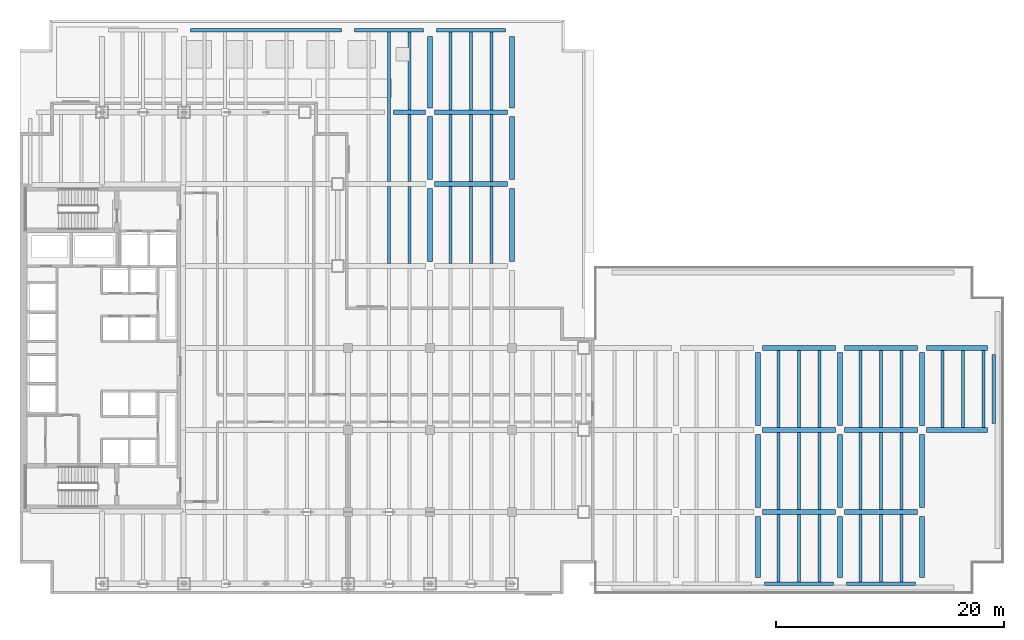
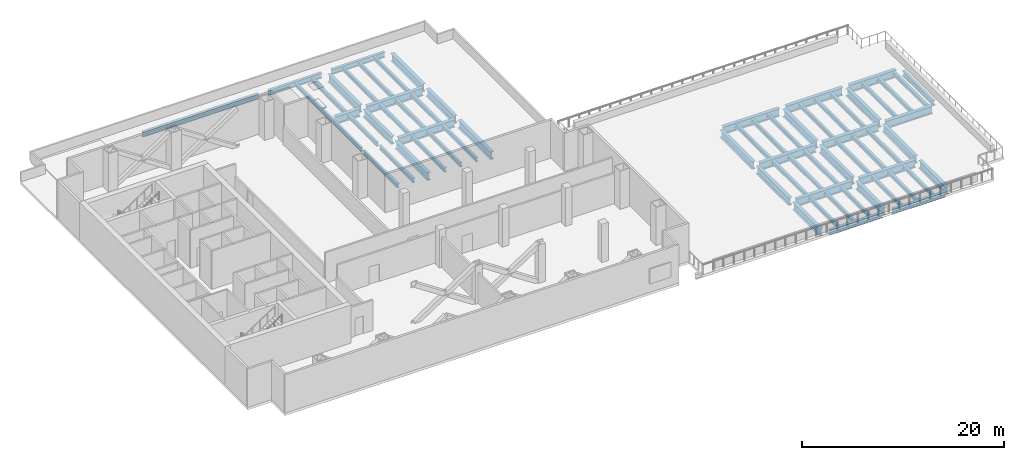
# One storey, part 4 of 12: 67 beams.
"""IFC4 building model written with IfcOpenShell, lengths in metres."""

import ifcopenshell
import ifcopenshell.guid

model = None  # the IFC model being written
_history = None  # IfcOwnerHistory: only IFC2X3 demands one
_inside = {}  # id of a spatial element -> (the spatial element, [elements in it])
_under = {}  # id of a project, library or spatial element -> (it, [spatial elements below it])
_declared = {}  # id of a project -> (the project, [libraries it declares])
_typed = {}  # id of a type object -> (the type object, [elements of that type])
_made_of = {}  # id of a material, layer set ... -> (it, [elements and type objects made of it])


def new_model(schema):
    """Start an empty IFC model of exactly this schema.

    Asked for "IFC4X3", IfcOpenShell would pick the latest addendum, in which some entities
    have other attributes; the version numbers below select the first issue.
    IFC2X3 requires an IfcOwnerHistory on every rooted entity: one is made here for all.
    """
    global model, _history
    if schema == "IFC4X3":
        model = ifcopenshell.file(schema_version=(4, 3, 0, 0))
    else:
        model = ifcopenshell.file(schema=schema)
    _inside.clear()
    _under.clear()
    _declared.clear()
    _typed.clear()
    _made_of.clear()
    _history = None
    if model.schema == "IFC2X3":
        org = make("IfcOrganization", Name="unknown")
        user = make(
            "IfcPersonAndOrganization",
            ThePerson=make("IfcPerson", FamilyName="unknown"),
            TheOrganization=org,
        )
        app = make(
            "IfcApplication",
            ApplicationDeveloper=org,
            Version="unknown",
            ApplicationFullName="unknown",
            ApplicationIdentifier="unknown",
        )
        _history = make(
            "IfcOwnerHistory",
            OwningUser=user,
            OwningApplication=app,
            ChangeAction="ADDED",
            CreationDate=0,
        )
    return model


def make(cls, **values):
    """One entity of the class cls with the attributes given. An attribute that is None is left unset."""
    return model.create_entity(
        cls, **{name: value for name, value in values.items() if value is not None}
    )


def rooted(cls, **values):
    """An entity with a GlobalId (a new one), such as an element, a storey or a relation."""
    return make(cls, GlobalId=ifcopenshell.guid.new(), OwnerHistory=_history, **values)


def si_unit(unit_type, name, prefix=None):
    """IfcSIUnit, for example si_unit("LENGTHUNIT", "METRE", prefix="MILLI")."""
    return make("IfcSIUnit", UnitType=unit_type, Prefix=prefix, Name=name)


def assignment(units):
    """IfcUnitAssignment: the units of a project."""
    return None if units is None else make("IfcUnitAssignment", Units=units)


def point(xyz):
    """IfcCartesianPoint."""
    return None if xyz is None else make("IfcCartesianPoint", Coordinates=xyz)


def direction(xyz):
    """IfcDirection."""
    return None if xyz is None else make("IfcDirection", DirectionRatios=xyz)


def frame(location, z_axis=None, x_axis=None):
    """IfcAxis2Placement3D, a coordinate frame: its origin and axes. An axis left out is left unset."""
    return make(
        "IfcAxis2Placement3D",
        Location=point(location),
        Axis=direction(z_axis),
        RefDirection=direction(x_axis),
    )


def frame_2d(location, x_axis=None):
    """IfcAxis2Placement2D, a coordinate frame in the plane: its origin and x axis."""
    return make(
        "IfcAxis2Placement2D", Location=point(location), RefDirection=direction(x_axis)
    )


def origin():
    """The frame at (0, 0, 0) with its axes left unset."""
    return frame((0.0, 0.0, 0.0))


def origin_2d():
    """The frame at (0, 0) in the plane with its x axis left unset."""
    return frame_2d((0.0, 0.0))


def place(relative_to, where):
    """IfcLocalPlacement: puts the frame where relative to a parent placement (None: the world)."""
    return make(
        "IfcLocalPlacement", PlacementRelTo=relative_to, RelativePlacement=where
    )


def context(
    kind, dimensions, precision=None, world=None, true_north=None, identifier=None
):
    """IfcGeometricRepresentationContext, for example the 3D "Model" context."""
    return make(
        "IfcGeometricRepresentationContext",
        ContextIdentifier=identifier,
        ContextType=kind,
        CoordinateSpaceDimension=dimensions,
        Precision=precision,
        WorldCoordinateSystem=world,
        TrueNorth=true_north,
    )


def subcontext(parent, identifier, kind, view, scale=None):
    """IfcGeometricRepresentationSubContext, for example "Body" below "Model"."""
    return make(
        "IfcGeometricRepresentationSubContext",
        ContextIdentifier=identifier,
        ContextType=kind,
        ParentContext=parent,
        TargetScale=scale,
        TargetView=view,
    )


def project(units=None, contexts=None):
    """IfcProject with its units and contexts."""
    return rooted(
        "IfcProject",
        Name="project",
        RepresentationContexts=contexts,
        UnitsInContext=assignment(units),
    )


def spatial(cls, under=None, at=None, **own):
    """A site, building, storey or space (cls), placed at a placement, below another one or the project."""
    s = rooted(cls, ObjectPlacement=at, **own)
    if under is not None:
        _under.setdefault(under.id(), (under, []))[1].append(s)
    return s


def profile(cls, at=None, kind="AREA", **sizes):
    """A parametric profile (cls). Its sizes go by their IFC names, for example OverallWidth=200.0."""
    return make(cls, ProfileType=kind, Position=at, **sizes)


def i_section(**sizes):
    """IfcIShapeProfileDef."""
    return profile("IfcIShapeProfileDef", **sizes)


def extrude(swept, where, along, depth):
    """IfcExtrudedAreaSolid: the profile swept, set in the frame where, extruded along a direction by depth."""
    return make(
        "IfcExtrudedAreaSolid",
        SweptArea=swept,
        Position=where,
        ExtrudedDirection=direction(along),
        Depth=depth,
    )


def shape(context_of_items, identifier, shape_type, items):
    """IfcShapeRepresentation: the items that make up one representation, for example the "Body"."""
    return make(
        "IfcShapeRepresentation",
        ContextOfItems=context_of_items,
        RepresentationIdentifier=identifier,
        RepresentationType=shape_type,
        Items=items,
    )


def material(Name=None, Category=None):
    """IfcMaterial."""
    return make("IfcMaterial", Name=Name, Category=Category)


def material_profile(
    of_material, cross_section, Name=None, Category=None, Priority=None
):
    """IfcMaterialProfile: a cross section and its material."""
    return make(
        "IfcMaterialProfile",
        Name=Name,
        Material=of_material,
        Profile=cross_section,
        Priority=Priority,
        Category=Category,
    )


def profile_set(profiles, Name=None, composite=None):
    """IfcMaterialProfileSet."""
    return make(
        "IfcMaterialProfileSet",
        Name=Name,
        MaterialProfiles=profiles,
        CompositeProfile=composite,
    )


def made_of(thing, what):
    """Note that an element or type object is made of a material, layer set ...; save() writes the relation."""
    if what is not None:
        _made_of.setdefault(what.id(), (what, []))[1].append(thing)
    return thing


def type_object(cls, material=None, **own):
    """A type object (cls), such as IfcWallType, which elements share."""
    return made_of(rooted(cls, **own), material)


def element(
    cls,
    number,
    at=None,
    inside=None,
    cuts=None,
    type_object=None,
    material=None,
    context=None,
    identifier="Body",
    shape_type=None,
    held_by="IfcProductDefinitionShape",
    body=None,
    shapes=None,
    **own,
):
    """One element of the class cls, such as IfcWall. Its Tag is "e" and its number.

    at: its placement. inside: the storey or other place that contains it. cuts: it is an
    opening in that element (IfcRelVoidsElement). A single representation is given by context,
    identifier, shape_type and body (its items); several are given by shapes. held_by: the class
    of the entity that holds the representations. save() writes the other relations.
    """
    e = rooted(cls, Tag="e%d" % number, ObjectPlacement=at, **own)
    if body is not None:
        shapes = [shape(context, identifier, shape_type, body)]
    if shapes is not None:
        e.Representation = make(held_by, Representations=shapes)
    if inside is not None:
        _inside.setdefault(inside.id(), (inside, []))[1].append(e)
    if cuts is not None:
        rooted(
            "IfcRelVoidsElement", RelatingBuildingElement=cuts, RelatedOpeningElement=e
        )
    if type_object is not None:
        _typed.setdefault(type_object.id(), (type_object, []))[1].append(e)
    return made_of(e, material)


def aggregate(whole, parts):
    """IfcRelAggregates: a whole, such as a stair, and the parts it consists of."""
    return rooted("IfcRelAggregates", RelatingObject=whole, RelatedObjects=parts)


def save(model, path):
    """Write the relations noted so far, then the file.

    IfcRelAggregates (storeys below a building ...), IfcRelContainedInSpatialStructure (elements
    in a storey), IfcRelDefinesByType, IfcRelAssociatesMaterial and IfcRelDeclares: one each for
    every whole, place, type object, material and project.
    """
    for whole, parts in _under.values():
        aggregate(whole, parts)
    for where, things in _inside.values():
        rooted(
            "IfcRelContainedInSpatialStructure",
            RelatedElements=things,
            RelatingStructure=where,
        )
    for kind, things in _typed.values():
        rooted("IfcRelDefinesByType", RelatedObjects=things, RelatingType=kind)
    for what, things in _made_of.values():
        rooted("IfcRelAssociatesMaterial", RelatedObjects=things, RelatingMaterial=what)
    for by, libraries in _declared.values():
        rooted("IfcRelDeclares", RelatingContext=by, RelatedDefinitions=libraries)
    model.write(path)


model = new_model("IFC4")

# Units and contexts
model_context = context("Model", 3, precision=1e-05, world=origin(), true_north=direction((0.0, 1.0)))
body_context = subcontext(model_context, "Body", "Model", "MODEL_VIEW")
ifc_project = project(units=[si_unit("LENGTHUNIT", "METRE"), si_unit("AREAUNIT", "SQUARE_METRE"), si_unit("VOLUMEUNIT", "CUBIC_METRE"), si_unit("PLANEANGLEUNIT", "RADIAN"), si_unit("MASSUNIT", "GRAM", prefix="KILO")], contexts=[model_context])

# Site, building, storey
site_placement = place(None, origin())
site = spatial("IfcSite", under=ifc_project, at=site_placement, CompositionType="ELEMENT")
building_placement = place(site_placement, origin())
building = spatial("IfcBuilding", under=site, at=building_placement, Name="Cobrela Telecom Tower", CompositionType="ELEMENT")
storey_placement = place(building_placement, frame((0.0, 0.0, 26.25)))
storey = spatial("IfcBuildingStorey", under=building, at=storey_placement, Name="L06", CompositionType="ELEMENT", Elevation=26.25)

# Beams
ifc_material = material(Name="Steel ASTM A992 Grade 50", Category="steel")
ifc_material_profile_1 = material_profile(ifc_material, i_section(OverallWidth=0.4189453125, OverallDepth=0.927001953125, WebThickness=0.019287109375, FlangeThickness=0.031982421875, FilletRadius=0.02392578125, at=origin_2d()), Name="W36X231")
ifc_profile_set_1 = profile_set([ifc_material_profile_1], Name="Steel ASTM A992 Grade 50")
beam_type_1 = type_object("IfcBeamType", Name="BM-GIRD-02", PredefinedType="USERDEFINED", material=ifc_profile_set_1)
for number, where, z_axis, x_axis, name in (
    (1, (65.179931640625, 7.199951171875, -0.763427734375), (1.0, 0.0, 0.0), (0.0, 1.0, 0.0), "L06 Primary Girder X17"),
    (2, (72.3798828125, 7.199951171875, -0.763427734375), (1.0, 0.0, 0.0), (0.0, 1.0, 0.0), "L06 Primary Girder X18"),
    (3, (65.179931640625, 14.39990234375, -0.763427734375), (1.0, 0.0, 0.0), (0.0, 1.0, 0.0), "L06 Primary Girder X25"),
    (4, (72.3798828125, 14.39990234375, -0.763427734375), (1.0, 0.0, 0.0), (0.0, 1.0, 0.0), "L06 Primary Girder X26"),
):
    element("IfcBeam", number, at=place(storey_placement, frame(where, z_axis=z_axis, x_axis=x_axis)), inside=storey, type_object=beam_type_1, Name=name, ObjectType="GIRDER", PredefinedType="USERDEFINED", context=body_context, shape_type="SweptSolid", body=[
        extrude(i_section(OverallWidth=0.4189453125, OverallDepth=0.927001953125, WebThickness=0.019287109375, FlangeThickness=0.031982421875, FilletRadius=0.02392578125, at=origin_2d()), origin(), (0.0, 0.0, 1.0), 6.440185546875),
    ])
beam_1_placement = place(storey_placement, frame((79.580078125, 14.39990234375, -0.763427734375), z_axis=(1.0, 0.0, 0.0), x_axis=(0.0, 1.0, 0.0)))
element("IfcBeam", 5, at=beam_1_placement, inside=storey, type_object=beam_type_1, Name="L06 Primary Girder X27", ObjectType="GIRDER", PredefinedType="USERDEFINED", context=body_context, shape_type="SweptSolid", body=[
    extrude(i_section(OverallWidth=0.4189453125, OverallDepth=0.927001953125, WebThickness=0.019287109375, FlangeThickness=0.031982421875, FilletRadius=0.02392578125, at=origin_2d()), origin(), (0.0, 0.0, 1.0), 5.364990234375),
])
for number, where, z_axis, x_axis, name in (
    (6, (65.179931640625, 21.60009765625, -0.763427734375), (1.0, 0.0, 0.0), (0.0, 1.0, 0.0), "L06 Primary Girder X34"),
    (7, (72.3798828125, 21.60009765625, -0.763427734375), (1.0, 0.0, 0.0), (0.0, 1.0, 0.0), "L06 Primary Girder X35"),
):
    element("IfcBeam", number, at=place(storey_placement, frame(where, z_axis=z_axis, x_axis=x_axis)), inside=storey, type_object=beam_type_1, Name=name, ObjectType="GIRDER", PredefinedType="USERDEFINED", context=body_context, shape_type="SweptSolid", body=[
        extrude(i_section(OverallWidth=0.4189453125, OverallDepth=0.927001953125, WebThickness=0.019287109375, FlangeThickness=0.031982421875, FilletRadius=0.02392578125, at=origin_2d()), origin(), (0.0, 0.0, 1.0), 6.440185546875),
    ])
beam_2_placement = place(storey_placement, frame((79.580078125, 21.60009765625, -0.763427734375), z_axis=(1.0, 0.0, 0.0), x_axis=(0.0, 1.0, 0.0)))
element("IfcBeam", 8, at=beam_2_placement, inside=storey, type_object=beam_type_1, Name="L06 Primary Girder X36", ObjectType="GIRDER", PredefinedType="USERDEFINED", context=body_context, shape_type="SweptSolid", body=[
    extrude(i_section(OverallWidth=0.4189453125, OverallDepth=0.927001953125, WebThickness=0.019287109375, FlangeThickness=0.031982421875, FilletRadius=0.02392578125, at=origin_2d()), origin(), (0.0, 0.0, 1.0), 5.364990234375),
])
beam_3_placement = place(storey_placement, frame((36.3798828125, 36.0, -0.763427734375), z_axis=(1.0, 0.0, 0.0), x_axis=(0.0, 1.0, 0.0)))
element("IfcBeam", 9, at=beam_3_placement, inside=storey, type_object=beam_type_1, Name="L06 Primary Girder X44", ObjectType="GIRDER", PredefinedType="USERDEFINED", context=body_context, shape_type="SweptSolid", body=[
    extrude(i_section(OverallWidth=0.4189453125, OverallDepth=0.927001953125, WebThickness=0.019287109375, FlangeThickness=0.031982421875, FilletRadius=0.02392578125, at=origin_2d()), origin(), (0.0, 0.0, 1.0), 6.440185546875),
])
beam_4_placement = place(storey_placement, frame((32.780029296875, 42.300048828125, -0.763427734375), z_axis=(1.0, 0.0, 0.0), x_axis=(0.0, 1.0, 0.0)))
element("IfcBeam", 10, at=beam_4_placement, inside=storey, type_object=beam_type_1, Name="L06 Primary Girder X49", ObjectType="GIRDER", PredefinedType="USERDEFINED", context=body_context, shape_type="SweptSolid", body=[
    extrude(i_section(OverallWidth=0.4189453125, OverallDepth=0.927001953125, WebThickness=0.019287109375, FlangeThickness=0.031982421875, FilletRadius=0.02392578125, at=origin_2d()), origin(), (0.0, 0.0, 1.0), 2.840087890625),
])
for number, where, z_axis, x_axis, name in (
    (11, (36.3798828125, 42.300048828125, -0.763427734375), (1.0, 0.0, 0.0), (0.0, 1.0, 0.0), "L06 Primary Girder X50"),
    (12, (36.0, 29.179931640625, -0.763427734375), (0.0, 1.0, 0.0), (-1.0, 0.0, 0.0), "L06 Primary Girder Y74"),
):
    element("IfcBeam", number, at=place(storey_placement, frame(where, z_axis=z_axis, x_axis=x_axis)), inside=storey, type_object=beam_type_1, Name=name, ObjectType="GIRDER", PredefinedType="USERDEFINED", context=body_context, shape_type="SweptSolid", body=[
        extrude(i_section(OverallWidth=0.4189453125, OverallDepth=0.927001953125, WebThickness=0.019287109375, FlangeThickness=0.031982421875, FilletRadius=0.02392578125, at=origin_2d()), origin(), (0.0, 0.0, 1.0), 6.440185546875),
    ])
beam_5_placement = place(storey_placement, frame((36.0, 36.3798828125, -0.763427734375), z_axis=(0.0, 1.0, 0.0), x_axis=(-1.0, 0.0, 0.0)))
element("IfcBeam", 13, at=beam_5_placement, inside=storey, type_object=beam_type_1, Name="L06 Primary Girder Y75", ObjectType="GIRDER", PredefinedType="USERDEFINED", context=body_context, shape_type="SweptSolid", body=[
    extrude(i_section(OverallWidth=0.4189453125, OverallDepth=0.927001953125, WebThickness=0.019287109375, FlangeThickness=0.031982421875, FilletRadius=0.02392578125, at=origin_2d()), origin(), (0.0, 0.0, 1.0), 5.5400390625),
])
beam_6_placement = place(storey_placement, frame((36.0, 42.679931640625, -0.763427734375), z_axis=(0.0, 1.0, 0.0), x_axis=(-1.0, 0.0, 0.0)))
element("IfcBeam", 14, at=beam_6_placement, inside=storey, type_object=beam_type_1, Name="L06 Primary Girder Y76", ObjectType="GIRDER", PredefinedType="USERDEFINED", context=body_context, shape_type="SweptSolid", body=[
    extrude(i_section(OverallWidth=0.4189453125, OverallDepth=0.927001953125, WebThickness=0.019287109375, FlangeThickness=0.031982421875, FilletRadius=0.02392578125, at=origin_2d()), origin(), (0.0, 0.0, 1.0), 6.26513671875),
])
beam_7_placement = place(storey_placement, frame((43.199951171875, 29.179931640625, -0.763427734375), z_axis=(0.0, 1.0, 0.0), x_axis=(-1.0, 0.0, 0.0)))
element("IfcBeam", 15, at=beam_7_placement, inside=storey, type_object=beam_type_1, Name="L06 Primary Girder Y81", ObjectType="GIRDER", PredefinedType="USERDEFINED", context=body_context, shape_type="SweptSolid", body=[
    extrude(i_section(OverallWidth=0.4189453125, OverallDepth=0.927001953125, WebThickness=0.019287109375, FlangeThickness=0.031982421875, FilletRadius=0.02392578125, at=origin_2d()), origin(), (0.0, 0.0, 1.0), 6.440185546875),
])
beam_8_placement = place(storey_placement, frame((43.199951171875, 36.3798828125, -0.763427734375), z_axis=(0.0, 1.0, 0.0), x_axis=(-1.0, 0.0, 0.0)))
element("IfcBeam", 16, at=beam_8_placement, inside=storey, type_object=beam_type_1, Name="L06 Primary Girder Y82", ObjectType="GIRDER", PredefinedType="USERDEFINED", context=body_context, shape_type="SweptSolid", body=[
    extrude(i_section(OverallWidth=0.4189453125, OverallDepth=0.927001953125, WebThickness=0.019287109375, FlangeThickness=0.031982421875, FilletRadius=0.02392578125, at=origin_2d()), origin(), (0.0, 0.0, 1.0), 5.5400390625),
])
beam_9_placement = place(storey_placement, frame((43.199951171875, 42.679931640625, -0.763427734375), z_axis=(0.0, 1.0, 0.0), x_axis=(-1.0, 0.0, 0.0)))
element("IfcBeam", 17, at=beam_9_placement, inside=storey, type_object=beam_type_1, Name="L06 Primary Girder Y83", ObjectType="GIRDER", PredefinedType="USERDEFINED", context=body_context, shape_type="SweptSolid", body=[
    extrude(i_section(OverallWidth=0.4189453125, OverallDepth=0.927001953125, WebThickness=0.019287109375, FlangeThickness=0.031982421875, FilletRadius=0.02392578125, at=origin_2d()), origin(), (0.0, 0.0, 1.0), 6.26513671875),
])
beam_10_placement = place(storey_placement, frame((64.800048828125, 1.455078125, -0.763427734375), z_axis=(0.0, 1.0, 0.0), x_axis=(-1.0, 0.0, 0.0)))
element("IfcBeam", 18, at=beam_10_placement, inside=storey, type_object=beam_type_1, Name="L06 Primary Girder Y89", ObjectType="GIRDER", PredefinedType="USERDEFINED", context=body_context, shape_type="SweptSolid", body=[
    extrude(i_section(OverallWidth=0.4189453125, OverallDepth=0.927001953125, WebThickness=0.019287109375, FlangeThickness=0.031982421875, FilletRadius=0.02392578125, at=origin_2d()), origin(), (0.0, 0.0, 1.0), 5.364990234375),
])
for number, where, z_axis, x_axis, name in (
    (19, (64.800048828125, 7.580078125, -0.763427734375), (0.0, 1.0, 0.0), (-1.0, 0.0, 0.0), "L06 Primary Girder Y90"),
    (20, (64.800048828125, 14.780029296875, -0.763427734375), (0.0, 1.0, 0.0), (-1.0, 0.0, 0.0), "L06 Primary Girder Y91"),
):
    element("IfcBeam", number, at=place(storey_placement, frame(where, z_axis=z_axis, x_axis=x_axis)), inside=storey, type_object=beam_type_1, Name=name, ObjectType="GIRDER", PredefinedType="USERDEFINED", context=body_context, shape_type="SweptSolid", body=[
        extrude(i_section(OverallWidth=0.4189453125, OverallDepth=0.927001953125, WebThickness=0.019287109375, FlangeThickness=0.031982421875, FilletRadius=0.02392578125, at=origin_2d()), origin(), (0.0, 0.0, 1.0), 6.43994140625),
    ])
beam_11_placement = place(storey_placement, frame((72.0, 1.455078125, -0.763427734375), z_axis=(0.0, 1.0, 0.0), x_axis=(-1.0, 0.0, 0.0)))
element("IfcBeam", 21, at=beam_11_placement, inside=storey, type_object=beam_type_1, Name="L06 Primary Girder Y92", ObjectType="GIRDER", PredefinedType="USERDEFINED", context=body_context, shape_type="SweptSolid", body=[
    extrude(i_section(OverallWidth=0.4189453125, OverallDepth=0.927001953125, WebThickness=0.019287109375, FlangeThickness=0.031982421875, FilletRadius=0.02392578125, at=origin_2d()), origin(), (0.0, 0.0, 1.0), 5.364990234375),
])
for number, where, z_axis, x_axis, name in (
    (22, (72.0, 7.580078125, -0.763427734375), (0.0, 1.0, 0.0), (-1.0, 0.0, 0.0), "L06 Primary Girder Y93"),
    (23, (72.0, 14.780029296875, -0.763427734375), (0.0, 1.0, 0.0), (-1.0, 0.0, 0.0), "L06 Primary Girder Y94"),
):
    element("IfcBeam", number, at=place(storey_placement, frame(where, z_axis=z_axis, x_axis=x_axis)), inside=storey, type_object=beam_type_1, Name=name, ObjectType="GIRDER", PredefinedType="USERDEFINED", context=body_context, shape_type="SweptSolid", body=[
        extrude(i_section(OverallWidth=0.4189453125, OverallDepth=0.927001953125, WebThickness=0.019287109375, FlangeThickness=0.031982421875, FilletRadius=0.02392578125, at=origin_2d()), origin(), (0.0, 0.0, 1.0), 6.43994140625),
    ])
beam_12_placement = place(storey_placement, frame((79.199951171875, 1.455078125, -0.763427734375), z_axis=(0.0, 1.0, 0.0), x_axis=(-1.0, 0.0, 0.0)))
element("IfcBeam", 24, at=beam_12_placement, inside=storey, type_object=beam_type_1, Name="L06 Primary Girder Y95", ObjectType="GIRDER", PredefinedType="USERDEFINED", context=body_context, shape_type="SweptSolid", body=[
    extrude(i_section(OverallWidth=0.4189453125, OverallDepth=0.927001953125, WebThickness=0.019287109375, FlangeThickness=0.031982421875, FilletRadius=0.02392578125, at=origin_2d()), origin(), (0.0, 0.0, 1.0), 5.364990234375),
])
for number, where, z_axis, x_axis, name in (
    (25, (79.199951171875, 7.580078125, -0.763427734375), (0.0, 1.0, 0.0), (-1.0, 0.0, 0.0), "L06 Primary Girder Y96"),
    (26, (79.199951171875, 14.780029296875, -0.763427734375), (0.0, 1.0, 0.0), (-1.0, 0.0, 0.0), "L06 Primary Girder Y97"),
):
    element("IfcBeam", number, at=place(storey_placement, frame(where, z_axis=z_axis, x_axis=x_axis)), inside=storey, type_object=beam_type_1, Name=name, ObjectType="GIRDER", PredefinedType="USERDEFINED", context=body_context, shape_type="SweptSolid", body=[
        extrude(i_section(OverallWidth=0.4189453125, OverallDepth=0.927001953125, WebThickness=0.019287109375, FlangeThickness=0.031982421875, FilletRadius=0.02392578125, at=origin_2d()), origin(), (0.0, 0.0, 1.0), 6.43994140625),
    ])
ifc_material_profile_2 = material_profile(ifc_material, i_section(OverallWidth=0.281982421875, OverallDepth=0.467041015625, WebThickness=0.01220703125, FlangeThickness=0.01953125, FilletRadius=0.012939453125, at=origin_2d()), Name="W18X86")
ifc_profile_set_2 = profile_set([ifc_material_profile_2], Name="Steel ASTM A992 Grade 50")
beam_type_2 = type_object("IfcBeamType", Name="BM-JOIST-02", PredefinedType="JOIST", material=ifc_profile_set_2)
beam_13_placement = place(storey_placement, frame((32.39990234375, 29.014404296875, -0.533447265625), z_axis=(0.0, 1.0, 0.0), x_axis=(-1.0, 0.0, 0.0)))
element("IfcBeam", 27, at=beam_13_placement, inside=storey, type_object=beam_type_2, Name="L06 Secondary Composite Floor Beam J64", PredefinedType="JOIST", context=body_context, shape_type="SweptSolid", body=[
    extrude(i_section(OverallWidth=0.281982421875, OverallDepth=0.467041015625, WebThickness=0.01220703125, FlangeThickness=0.01953125, FilletRadius=0.012939453125, at=origin_2d()), origin(), (0.0, 0.0, 1.0), 6.77099609375),
])
beam_14_placement = place(storey_placement, frame((32.39990234375, 36.214599609375, -0.533447265625), z_axis=(0.0, 1.0, 0.0), x_axis=(-1.0, 0.0, 0.0)))
element("IfcBeam", 28, at=beam_14_placement, inside=storey, type_object=beam_type_2, Name="L06 Secondary Composite Floor Beam J65", PredefinedType="JOIST", context=body_context, shape_type="SweptSolid", body=[
    extrude(i_section(OverallWidth=0.281982421875, OverallDepth=0.467041015625, WebThickness=0.01220703125, FlangeThickness=0.01953125, FilletRadius=0.012939453125, at=origin_2d()), origin(), (0.0, 0.0, 1.0), 13.117919921875),
])
beam_15_placement = place(storey_placement, frame((34.199951171875, 29.014404296875, -0.533447265625), z_axis=(0.0, 1.0, 0.0), x_axis=(-1.0, 0.0, 0.0)))
element("IfcBeam", 29, at=beam_15_placement, inside=storey, type_object=beam_type_2, Name="L06 Secondary Composite Floor Beam J70", PredefinedType="JOIST", context=body_context, shape_type="SweptSolid", body=[
    extrude(i_section(OverallWidth=0.281982421875, OverallDepth=0.467041015625, WebThickness=0.01220703125, FlangeThickness=0.01953125, FilletRadius=0.012939453125, at=origin_2d()), origin(), (0.0, 0.0, 1.0), 6.77099609375),
])
beam_16_placement = place(storey_placement, frame((34.199951171875, 36.214599609375, -0.533447265625), z_axis=(0.0, 1.0, 0.0), x_axis=(-1.0, 0.0, 0.0)))
element("IfcBeam", 30, at=beam_16_placement, inside=storey, type_object=beam_type_2, Name="L06 Secondary Composite Floor Beam J71", PredefinedType="JOIST", context=body_context, shape_type="SweptSolid", body=[
    extrude(i_section(OverallWidth=0.281982421875, OverallDepth=0.467041015625, WebThickness=0.01220703125, FlangeThickness=0.01953125, FilletRadius=0.012939453125, at=origin_2d()), origin(), (0.0, 0.0, 1.0), 5.870849609375),
])
beam_17_placement = place(storey_placement, frame((34.199951171875, 42.514404296875, -0.533447265625), z_axis=(0.0, 1.0, 0.0), x_axis=(-1.0, 0.0, 0.0)))
element("IfcBeam", 31, at=beam_17_placement, inside=storey, type_object=beam_type_2, Name="L06 Secondary Composite Floor Beam J72", PredefinedType="JOIST", context=body_context, shape_type="SweptSolid", body=[
    extrude(i_section(OverallWidth=0.281982421875, OverallDepth=0.467041015625, WebThickness=0.01220703125, FlangeThickness=0.01953125, FilletRadius=0.012939453125, at=origin_2d()), origin(), (0.0, 0.0, 1.0), 6.818115234375),
])
beam_18_placement = place(storey_placement, frame((37.800048828125, 29.014404296875, -0.533447265625), z_axis=(0.0, 1.0, 0.0), x_axis=(-1.0, 0.0, 0.0)))
element("IfcBeam", 32, at=beam_18_placement, inside=storey, type_object=beam_type_2, Name="L06 Secondary Composite Floor Beam J77", PredefinedType="JOIST", context=body_context, shape_type="SweptSolid", body=[
    extrude(i_section(OverallWidth=0.281982421875, OverallDepth=0.467041015625, WebThickness=0.01220703125, FlangeThickness=0.01953125, FilletRadius=0.012939453125, at=origin_2d()), origin(), (0.0, 0.0, 1.0), 6.77099609375),
])
beam_19_placement = place(storey_placement, frame((37.800048828125, 36.214599609375, -0.533447265625), z_axis=(0.0, 1.0, 0.0), x_axis=(-1.0, 0.0, 0.0)))
element("IfcBeam", 33, at=beam_19_placement, inside=storey, type_object=beam_type_2, Name="L06 Secondary Composite Floor Beam J78", PredefinedType="JOIST", context=body_context, shape_type="SweptSolid", body=[
    extrude(i_section(OverallWidth=0.281982421875, OverallDepth=0.467041015625, WebThickness=0.01220703125, FlangeThickness=0.01953125, FilletRadius=0.012939453125, at=origin_2d()), origin(), (0.0, 0.0, 1.0), 5.870849609375),
])
beam_20_placement = place(storey_placement, frame((37.800048828125, 42.514404296875, -0.533447265625), z_axis=(0.0, 1.0, 0.0), x_axis=(-1.0, 0.0, 0.0)))
element("IfcBeam", 34, at=beam_20_placement, inside=storey, type_object=beam_type_2, Name="L06 Secondary Composite Floor Beam J79", PredefinedType="JOIST", context=body_context, shape_type="SweptSolid", body=[
    extrude(i_section(OverallWidth=0.281982421875, OverallDepth=0.467041015625, WebThickness=0.01220703125, FlangeThickness=0.01953125, FilletRadius=0.012939453125, at=origin_2d()), origin(), (0.0, 0.0, 1.0), 6.818115234375),
])
beam_21_placement = place(storey_placement, frame((39.60009765625, 29.014404296875, -0.533447265625), z_axis=(0.0, 1.0, 0.0), x_axis=(-1.0, 0.0, 0.0)))
element("IfcBeam", 35, at=beam_21_placement, inside=storey, type_object=beam_type_2, Name="L06 Secondary Composite Floor Beam J84", PredefinedType="JOIST", context=body_context, shape_type="SweptSolid", body=[
    extrude(i_section(OverallWidth=0.281982421875, OverallDepth=0.467041015625, WebThickness=0.01220703125, FlangeThickness=0.01953125, FilletRadius=0.012939453125, at=origin_2d()), origin(), (0.0, 0.0, 1.0), 6.77099609375),
])
beam_22_placement = place(storey_placement, frame((39.60009765625, 36.214599609375, -0.533447265625), z_axis=(0.0, 1.0, 0.0), x_axis=(-1.0, 0.0, 0.0)))
element("IfcBeam", 36, at=beam_22_placement, inside=storey, type_object=beam_type_2, Name="L06 Secondary Composite Floor Beam J85", PredefinedType="JOIST", context=body_context, shape_type="SweptSolid", body=[
    extrude(i_section(OverallWidth=0.281982421875, OverallDepth=0.467041015625, WebThickness=0.01220703125, FlangeThickness=0.01953125, FilletRadius=0.012939453125, at=origin_2d()), origin(), (0.0, 0.0, 1.0), 5.870849609375),
])
beam_23_placement = place(storey_placement, frame((39.60009765625, 42.514404296875, -0.533447265625), z_axis=(0.0, 1.0, 0.0), x_axis=(-1.0, 0.0, 0.0)))
element("IfcBeam", 37, at=beam_23_placement, inside=storey, type_object=beam_type_2, Name="L06 Secondary Composite Floor Beam J86", PredefinedType="JOIST", context=body_context, shape_type="SweptSolid", body=[
    extrude(i_section(OverallWidth=0.281982421875, OverallDepth=0.467041015625, WebThickness=0.01220703125, FlangeThickness=0.01953125, FilletRadius=0.012939453125, at=origin_2d()), origin(), (0.0, 0.0, 1.0), 6.818115234375),
])
beam_24_placement = place(storey_placement, frame((41.39990234375, 29.014404296875, -0.533447265625), z_axis=(0.0, 1.0, 0.0), x_axis=(-1.0, 0.0, 0.0)))
element("IfcBeam", 38, at=beam_24_placement, inside=storey, type_object=beam_type_2, Name="L06 Secondary Composite Floor Beam J91", PredefinedType="JOIST", context=body_context, shape_type="SweptSolid", body=[
    extrude(i_section(OverallWidth=0.281982421875, OverallDepth=0.467041015625, WebThickness=0.01220703125, FlangeThickness=0.01953125, FilletRadius=0.012939453125, at=origin_2d()), origin(), (0.0, 0.0, 1.0), 6.77099609375),
])
beam_25_placement = place(storey_placement, frame((41.39990234375, 36.214599609375, -0.533447265625), z_axis=(0.0, 1.0, 0.0), x_axis=(-1.0, 0.0, 0.0)))
element("IfcBeam", 39, at=beam_25_placement, inside=storey, type_object=beam_type_2, Name="L06 Secondary Composite Floor Beam J92", PredefinedType="JOIST", context=body_context, shape_type="SweptSolid", body=[
    extrude(i_section(OverallWidth=0.281982421875, OverallDepth=0.467041015625, WebThickness=0.01220703125, FlangeThickness=0.01953125, FilletRadius=0.012939453125, at=origin_2d()), origin(), (0.0, 0.0, 1.0), 5.870849609375),
])
beam_26_placement = place(storey_placement, frame((41.39990234375, 42.514404296875, -0.533447265625), z_axis=(0.0, 1.0, 0.0), x_axis=(-1.0, 0.0, 0.0)))
element("IfcBeam", 40, at=beam_26_placement, inside=storey, type_object=beam_type_2, Name="L06 Secondary Composite Floor Beam J93", PredefinedType="JOIST", context=body_context, shape_type="SweptSolid", body=[
    extrude(i_section(OverallWidth=0.281982421875, OverallDepth=0.467041015625, WebThickness=0.01220703125, FlangeThickness=0.01953125, FilletRadius=0.012939453125, at=origin_2d()), origin(), (0.0, 0.0, 1.0), 6.818115234375),
])
beam_27_placement = place(storey_placement, frame((66.60009765625, 1.0673828125, -0.533447265625), z_axis=(0.0, 1.0, 0.0), x_axis=(-1.0, 0.0, 0.0)))
element("IfcBeam", 41, at=beam_27_placement, inside=storey, type_object=beam_type_2, Name="L06 Secondary Composite Floor Beam J118", PredefinedType="JOIST", context=body_context, shape_type="SweptSolid", body=[
    extrude(i_section(OverallWidth=0.281982421875, OverallDepth=0.467041015625, WebThickness=0.01220703125, FlangeThickness=0.01953125, FilletRadius=0.012939453125, at=origin_2d()), origin(), (0.0, 0.0, 1.0), 5.918212890625),
])
for number, where, z_axis, x_axis, name in (
    (42, (66.60009765625, 7.41455078125, -0.533447265625), (0.0, 1.0, 0.0), (-1.0, 0.0, 0.0), "L06 Secondary Composite Floor Beam J119"),
    (43, (66.60009765625, 14.614501953125, -0.533447265625), (0.0, 1.0, 0.0), (-1.0, 0.0, 0.0), "L06 Secondary Composite Floor Beam J120"),
):
    element("IfcBeam", number, at=place(storey_placement, frame(where, z_axis=z_axis, x_axis=x_axis)), inside=storey, type_object=beam_type_2, Name=name, PredefinedType="JOIST", context=body_context, shape_type="SweptSolid", body=[
        extrude(i_section(OverallWidth=0.281982421875, OverallDepth=0.467041015625, WebThickness=0.01220703125, FlangeThickness=0.01953125, FilletRadius=0.012939453125, at=origin_2d()), origin(), (0.0, 0.0, 1.0), 6.77099609375),
    ])
beam_28_placement = place(storey_placement, frame((68.39990234375, 1.0673828125, -0.533447265625), z_axis=(0.0, 1.0, 0.0), x_axis=(-1.0, 0.0, 0.0)))
element("IfcBeam", 44, at=beam_28_placement, inside=storey, type_object=beam_type_2, Name="L06 Secondary Composite Floor Beam J121", PredefinedType="JOIST", context=body_context, shape_type="SweptSolid", body=[
    extrude(i_section(OverallWidth=0.281982421875, OverallDepth=0.467041015625, WebThickness=0.01220703125, FlangeThickness=0.01953125, FilletRadius=0.012939453125, at=origin_2d()), origin(), (0.0, 0.0, 1.0), 5.918212890625),
])
for number, where, z_axis, x_axis, name in (
    (45, (68.39990234375, 7.41455078125, -0.533447265625), (0.0, 1.0, 0.0), (-1.0, 0.0, 0.0), "L06 Secondary Composite Floor Beam J122"),
    (46, (68.39990234375, 14.614501953125, -0.533447265625), (0.0, 1.0, 0.0), (-1.0, 0.0, 0.0), "L06 Secondary Composite Floor Beam J123"),
):
    element("IfcBeam", number, at=place(storey_placement, frame(where, z_axis=z_axis, x_axis=x_axis)), inside=storey, type_object=beam_type_2, Name=name, PredefinedType="JOIST", context=body_context, shape_type="SweptSolid", body=[
        extrude(i_section(OverallWidth=0.281982421875, OverallDepth=0.467041015625, WebThickness=0.01220703125, FlangeThickness=0.01953125, FilletRadius=0.012939453125, at=origin_2d()), origin(), (0.0, 0.0, 1.0), 6.77099609375),
    ])
beam_29_placement = place(storey_placement, frame((70.199951171875, 1.0673828125, -0.533447265625), z_axis=(0.0, 1.0, 0.0), x_axis=(-1.0, 0.0, 0.0)))
element("IfcBeam", 47, at=beam_29_placement, inside=storey, type_object=beam_type_2, Name="L06 Secondary Composite Floor Beam J124", PredefinedType="JOIST", context=body_context, shape_type="SweptSolid", body=[
    extrude(i_section(OverallWidth=0.281982421875, OverallDepth=0.467041015625, WebThickness=0.01220703125, FlangeThickness=0.01953125, FilletRadius=0.012939453125, at=origin_2d()), origin(), (0.0, 0.0, 1.0), 5.918212890625),
])
for number, where, z_axis, x_axis, name in (
    (48, (70.199951171875, 7.41455078125, -0.533447265625), (0.0, 1.0, 0.0), (-1.0, 0.0, 0.0), "L06 Secondary Composite Floor Beam J125"),
    (49, (70.199951171875, 14.614501953125, -0.533447265625), (0.0, 1.0, 0.0), (-1.0, 0.0, 0.0), "L06 Secondary Composite Floor Beam J126"),
):
    element("IfcBeam", number, at=place(storey_placement, frame(where, z_axis=z_axis, x_axis=x_axis)), inside=storey, type_object=beam_type_2, Name=name, PredefinedType="JOIST", context=body_context, shape_type="SweptSolid", body=[
        extrude(i_section(OverallWidth=0.281982421875, OverallDepth=0.467041015625, WebThickness=0.01220703125, FlangeThickness=0.01953125, FilletRadius=0.012939453125, at=origin_2d()), origin(), (0.0, 0.0, 1.0), 6.77099609375),
    ])
beam_30_placement = place(storey_placement, frame((73.800048828125, 1.0673828125, -0.533447265625), z_axis=(0.0, 1.0, 0.0), x_axis=(-1.0, 0.0, 0.0)))
element("IfcBeam", 50, at=beam_30_placement, inside=storey, type_object=beam_type_2, Name="L06 Secondary Composite Floor Beam J127", PredefinedType="JOIST", context=body_context, shape_type="SweptSolid", body=[
    extrude(i_section(OverallWidth=0.281982421875, OverallDepth=0.467041015625, WebThickness=0.01220703125, FlangeThickness=0.01953125, FilletRadius=0.012939453125, at=origin_2d()), origin(), (0.0, 0.0, 1.0), 5.918212890625),
])
for number, where, z_axis, x_axis, name in (
    (51, (73.800048828125, 7.41455078125, -0.533447265625), (0.0, 1.0, 0.0), (-1.0, 0.0, 0.0), "L06 Secondary Composite Floor Beam J128"),
    (52, (73.800048828125, 14.614501953125, -0.533447265625), (0.0, 1.0, 0.0), (-1.0, 0.0, 0.0), "L06 Secondary Composite Floor Beam J129"),
):
    element("IfcBeam", number, at=place(storey_placement, frame(where, z_axis=z_axis, x_axis=x_axis)), inside=storey, type_object=beam_type_2, Name=name, PredefinedType="JOIST", context=body_context, shape_type="SweptSolid", body=[
        extrude(i_section(OverallWidth=0.281982421875, OverallDepth=0.467041015625, WebThickness=0.01220703125, FlangeThickness=0.01953125, FilletRadius=0.012939453125, at=origin_2d()), origin(), (0.0, 0.0, 1.0), 6.77099609375),
    ])
beam_31_placement = place(storey_placement, frame((75.60009765625, 1.0673828125, -0.533447265625), z_axis=(0.0, 1.0, 0.0), x_axis=(-1.0, 0.0, 0.0)))
element("IfcBeam", 53, at=beam_31_placement, inside=storey, type_object=beam_type_2, Name="L06 Secondary Composite Floor Beam J130", PredefinedType="JOIST", context=body_context, shape_type="SweptSolid", body=[
    extrude(i_section(OverallWidth=0.281982421875, OverallDepth=0.467041015625, WebThickness=0.01220703125, FlangeThickness=0.01953125, FilletRadius=0.012939453125, at=origin_2d()), origin(), (0.0, 0.0, 1.0), 5.918212890625),
])
for number, where, z_axis, x_axis, name in (
    (54, (75.60009765625, 7.41455078125, -0.533447265625), (0.0, 1.0, 0.0), (-1.0, 0.0, 0.0), "L06 Secondary Composite Floor Beam J131"),
    (55, (75.60009765625, 14.614501953125, -0.533447265625), (0.0, 1.0, 0.0), (-1.0, 0.0, 0.0), "L06 Secondary Composite Floor Beam J132"),
):
    element("IfcBeam", number, at=place(storey_placement, frame(where, z_axis=z_axis, x_axis=x_axis)), inside=storey, type_object=beam_type_2, Name=name, PredefinedType="JOIST", context=body_context, shape_type="SweptSolid", body=[
        extrude(i_section(OverallWidth=0.281982421875, OverallDepth=0.467041015625, WebThickness=0.01220703125, FlangeThickness=0.01953125, FilletRadius=0.012939453125, at=origin_2d()), origin(), (0.0, 0.0, 1.0), 6.77099609375),
    ])
beam_32_placement = place(storey_placement, frame((77.39990234375, 1.0673828125, -0.533447265625), z_axis=(0.0, 1.0, 0.0), x_axis=(-1.0, 0.0, 0.0)))
element("IfcBeam", 56, at=beam_32_placement, inside=storey, type_object=beam_type_2, Name="L06 Secondary Composite Floor Beam J133", PredefinedType="JOIST", context=body_context, shape_type="SweptSolid", body=[
    extrude(i_section(OverallWidth=0.281982421875, OverallDepth=0.467041015625, WebThickness=0.01220703125, FlangeThickness=0.01953125, FilletRadius=0.012939453125, at=origin_2d()), origin(), (0.0, 0.0, 1.0), 5.918212890625),
])
for number, where, z_axis, x_axis, name in (
    (57, (77.39990234375, 7.41455078125, -0.533447265625), (0.0, 1.0, 0.0), (-1.0, 0.0, 0.0), "L06 Secondary Composite Floor Beam J134"),
    (58, (77.39990234375, 14.614501953125, -0.533447265625), (0.0, 1.0, 0.0), (-1.0, 0.0, 0.0), "L06 Secondary Composite Floor Beam J135"),
    (59, (81.0, 14.614501953125, -0.533447265625), (0.0, 1.0, 0.0), (-1.0, 0.0, 0.0), "L06 Secondary Composite Floor Beam J136"),
    (60, (82.800048828125, 14.614501953125, -0.533447265625), (0.0, 1.0, 0.0), (-1.0, 0.0, 0.0), "L06 Secondary Composite Floor Beam J137"),
    (61, (84.60009765625, 14.614501953125, -0.533447265625), (0.0, 1.0, 0.0), (-1.0, 0.0, 0.0), "L06 Secondary Composite Floor Beam J138"),
):
    element("IfcBeam", number, at=place(storey_placement, frame(where, z_axis=z_axis, x_axis=x_axis)), inside=storey, type_object=beam_type_2, Name=name, PredefinedType="JOIST", context=body_context, shape_type="SweptSolid", body=[
        extrude(i_section(OverallWidth=0.281982421875, OverallDepth=0.467041015625, WebThickness=0.01220703125, FlangeThickness=0.01953125, FilletRadius=0.012939453125, at=origin_2d()), origin(), (0.0, 0.0, 1.0), 6.77099609375),
    ])
ifc_material_profile_3 = material_profile(ifc_material, i_section(OverallWidth=0.324951171875, OverallDepth=0.612060546875, WebThickness=0.0126953125, FlangeThickness=0.01904296875, FilletRadius=0.014892578125, at=origin_2d()), Name="W24X104")
ifc_profile_set_3 = profile_set([ifc_material_profile_3], Name="Steel ASTM A992 Grade 50")
beam_type_3 = type_object("IfcBeamType", Name="BM-SPAND-02", PredefinedType="SPANDREL", material=ifc_profile_set_3)
for number, where, z_axis, x_axis, name in (
    (62, (65.35498046875, 0.89990234375, -0.60595703125), (1.0, 0.0, 0.0), (0.0, 1.0, 0.0), "L06 Perimeter Spandrel X07"),
    (63, (72.554931640625, 0.89990234375, -0.60595703125), (1.0, 0.0, 0.0), (0.0, 1.0, 0.0), "L06 Perimeter Spandrel X08"),
):
    element("IfcBeam", number, at=place(storey_placement, frame(where, z_axis=z_axis, x_axis=x_axis)), inside=storey, type_object=beam_type_3, Name=name, PredefinedType="SPANDREL", context=body_context, shape_type="SweptSolid", body=[
        extrude(i_section(OverallWidth=0.324951171875, OverallDepth=0.612060546875, WebThickness=0.0126953125, FlangeThickness=0.01904296875, FilletRadius=0.014892578125, at=origin_2d()), origin(), (0.0, 0.0, 1.0), 6.090087890625),
    ])
beam_33_placement = place(storey_placement, frame((14.955078125, 49.5, -0.60595703125), z_axis=(1.0, 0.0, 0.0), x_axis=(0.0, 1.0, 0.0)))
element("IfcBeam", 64, at=beam_33_placement, inside=storey, type_object=beam_type_3, Name="L06 Perimeter Spandrel X52", PredefinedType="SPANDREL", context=body_context, shape_type="SweptSolid", body=[
    extrude(i_section(OverallWidth=0.324951171875, OverallDepth=0.612060546875, WebThickness=0.0126953125, FlangeThickness=0.01904296875, FilletRadius=0.014892578125, at=origin_2d()), origin(), (0.0, 0.0, 1.0), 13.2900390625),
])
for number, where, z_axis, x_axis, name in (
    (65, (29.35498046875, 49.5, -0.60595703125), (1.0, 0.0, 0.0), (0.0, 1.0, 0.0), "L06 Perimeter Spandrel X53"),
    (66, (36.554931640625, 49.5, -0.60595703125), (1.0, 0.0, 0.0), (0.0, 1.0, 0.0), "L06 Perimeter Spandrel X54"),
):
    element("IfcBeam", number, at=place(storey_placement, frame(where, z_axis=z_axis, x_axis=x_axis)), inside=storey, type_object=beam_type_3, Name=name, PredefinedType="SPANDREL", context=body_context, shape_type="SweptSolid", body=[
        extrude(i_section(OverallWidth=0.324951171875, OverallDepth=0.612060546875, WebThickness=0.0126953125, FlangeThickness=0.01904296875, FilletRadius=0.014892578125, at=origin_2d()), origin(), (0.0, 0.0, 1.0), 6.090087890625),
    ])
beam_34_placement = place(storey_placement, frame((85.5, 14.955078125, -0.60595703125), z_axis=(0.0, 1.0, 0.0), x_axis=(-1.0, 0.0, 0.0)))
element("IfcBeam", 67, at=beam_34_placement, inside=storey, type_object=beam_type_3, Name="L06 Perimeter Spandrel Y98", PredefinedType="SPANDREL", context=body_context, shape_type="SweptSolid", body=[
    extrude(i_section(OverallWidth=0.324951171875, OverallDepth=0.612060546875, WebThickness=0.0126953125, FlangeThickness=0.01904296875, FilletRadius=0.014892578125, at=origin_2d()), origin(), (0.0, 0.0, 1.0), 6.08984375),
])

save(model, "model.ifc")
